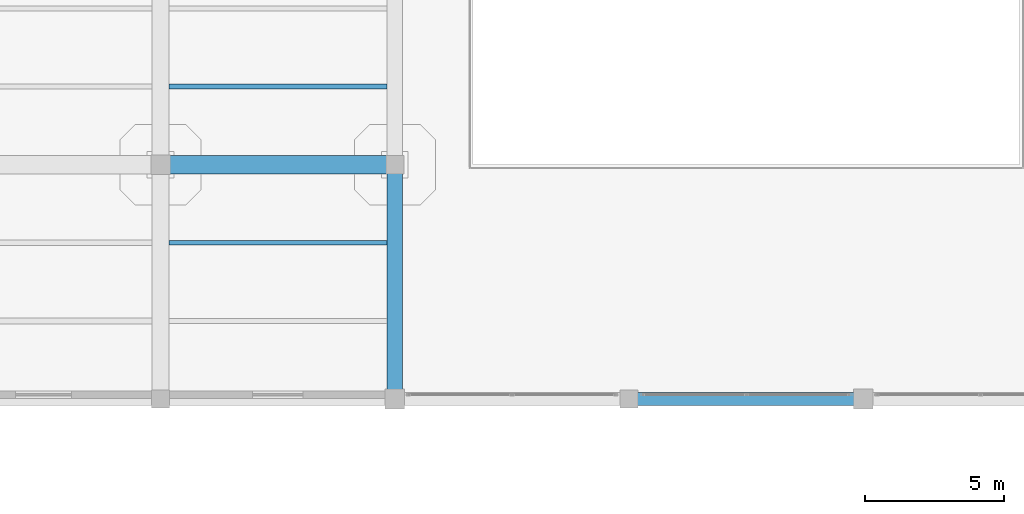
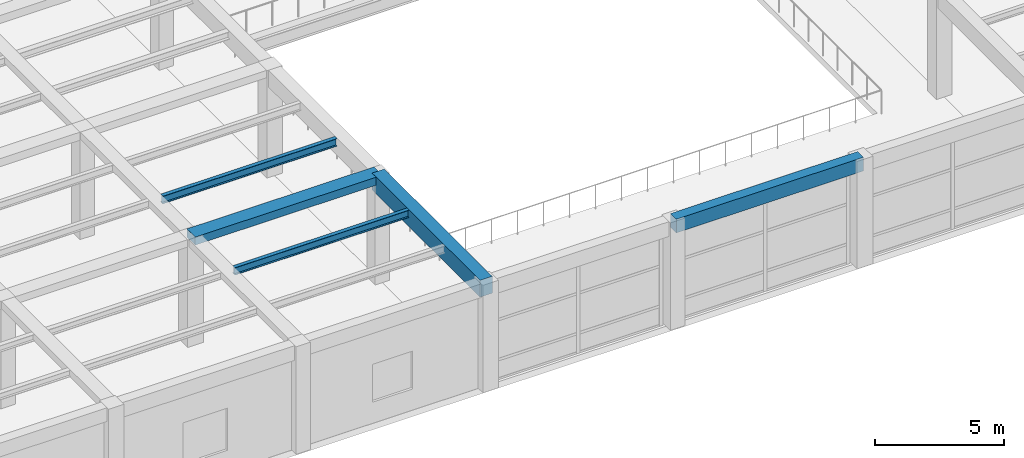
# One storey, part 24 of 96: 5 beams.
"""IFC4 building model written with IfcOpenShell, lengths in metres."""

from ifc_helpers import new_model, si_unit, direction, frame, origin, origin_2d, place, context, subcontext, project, spatial, rectangle, i_section, extrude, material, material_profile, profile_set, type_object, element, save


model = new_model("IFC4")

# Units and contexts
model_context = context("Model", 3, precision=1e-05, world=origin(), true_north=direction((0.0, 1.0)))
body_context = subcontext(model_context, "Body", "Model", "MODEL_VIEW")
ifc_project = project(units=[si_unit("LENGTHUNIT", "METRE"), si_unit("AREAUNIT", "SQUARE_METRE"), si_unit("VOLUMEUNIT", "CUBIC_METRE"), si_unit("PLANEANGLEUNIT", "RADIAN"), si_unit("MASSUNIT", "GRAM", prefix="KILO")], contexts=[model_context])

# Site, building, storey
site_placement = place(None, origin())
site = spatial("IfcSite", under=ifc_project, at=site_placement, CompositionType="ELEMENT")
building_placement = place(site_placement, origin())
building = spatial("IfcBuilding", under=site, at=building_placement, Name="Almacenes y Pasaje Nevantli", CompositionType="ELEMENT")
storey_placement = place(building_placement, frame((0.0, 0.0, 6.0)))
storey = spatial("IfcBuildingStorey", under=building, at=storey_placement, Name="L02", CompositionType="ELEMENT", Elevation=6.0)

# Beams
ifc_material_1 = material(Name="Concrete C35/45", Category="concrete")
ifc_material_profile_1 = material_profile(ifc_material_1, rectangle(XDim=0.449951171875, YDim=0.64990234375, at=origin_2d()), Name="RC-BM-450x650")
ifc_profile_set_1 = profile_set([ifc_material_profile_1], Name="Concrete C35/45")
beam_type_1 = type_object("IfcBeamType", Name="BM-RC-450x650", PredefinedType="SPANDREL", material=ifc_profile_set_1)
beam_1_placement = place(storey_placement, frame((75.60009765625, 0.0, 4.77490234375), z_axis=(1.0, 0.0, 0.0), x_axis=(0.0, 1.0, 0.0)))
element("IfcBeam", 1, at=beam_1_placement, inside=storey, type_object=beam_type_1, Name="L02 East-West Reinforced Concrete Beam #1729", PredefinedType="SPANDREL", context=body_context, shape_type="SweptSolid", body=[
    extrude(rectangle(XDim=0.449951171875, YDim=0.64990234375, at=origin_2d()), origin(), (0.0, 0.0, 1.0), 8.39990234375),
])
ifc_material_2 = material(Name="Concrete C35/45", Category="concrete")
ifc_material_profile_2 = material_profile(ifc_material_2, rectangle(XDim=0.550048828125, YDim=0.800048828125, at=origin_2d()), Name="RC-BM-550x800")
ifc_profile_set_2 = profile_set([ifc_material_profile_2], Name="Concrete C35/45")
beam_type_2 = type_object("IfcBeamType", Name="BM-RC-550x800", PredefinedType="BEAM", material=ifc_profile_set_2)
beam_2_placement = place(storey_placement, frame((67.199951171875, 0.0, 4.699951171875), z_axis=(0.0, 1.0, 0.0), x_axis=(-1.0, 0.0, 0.0)))
element("IfcBeam", 2, at=beam_2_placement, inside=storey, type_object=beam_type_2, Name="L02 North-South Reinforced Concrete Beam #2055", PredefinedType="BEAM", context=body_context, shape_type="SweptSolid", body=[
    extrude(rectangle(XDim=0.550048828125, YDim=0.800048828125, at=origin_2d()), origin(), (0.0, 0.0, 1.0), 8.39990234375),
])
ifc_material_3 = material(Name="Concrete C35/45", Category="concrete")
ifc_material_profile_3 = material_profile(ifc_material_3, rectangle(XDim=0.64990234375, YDim=0.3798828125, at=origin_2d()), Name="RC-BM-650x380")
ifc_profile_set_3 = profile_set([ifc_material_profile_3], Name="Concrete C35/45")
beam_type_3 = type_object("IfcBeamType", Name="BM-RC-650x380", PredefinedType="BEAM", material=ifc_profile_set_3)
beam_3_placement = place(storey_placement, frame((58.800048828125, 8.39990234375, 4.909912109375), z_axis=(1.0, 0.0, 0.0), x_axis=(0.0, 1.0, 0.0)))
element("IfcBeam", 3, at=beam_3_placement, inside=storey, type_object=beam_type_3, Name="L02 East-West Reinforced Concrete Beam #1744", PredefinedType="BEAM", context=body_context, shape_type="SweptSolid", body=[
    extrude(rectangle(XDim=0.64990234375, YDim=0.3798828125, at=origin_2d()), origin(), (0.0, 0.0, 1.0), 8.39990234375),
])
ifc_material_4 = material(Name="Steel ASTM A992", Category="steel")
ifc_material_profile_4 = material_profile(ifc_material_4, i_section(OverallWidth=0.173095703125, OverallDepth=0.35302734375, WebThickness=0.0078125, FlangeThickness=0.01318359375, at=origin_2d()), Name="IR 356x56.6")
ifc_profile_set_4 = profile_set([ifc_material_profile_4], Name="Steel ASTM A992")
beam_type_4 = type_object("IfcBeamType", Name="BM-STL-IR-356x56p6", PredefinedType="JOIST", material=ifc_profile_set_4)
beam_4_placement = place(storey_placement, frame((59.10009765625, 5.60009765625, 4.91552734375), z_axis=(1.0, 0.0, 0.0), x_axis=(0.0, 1.0, 0.0)))
element("IfcBeam", 4, at=beam_4_placement, inside=storey, type_object=beam_type_4, Name="L02 Secondary Steel Floor Joist #432", PredefinedType="JOIST", context=body_context, shape_type="SweptSolid", body=[
    extrude(i_section(OverallWidth=0.173095703125, OverallDepth=0.35302734375, WebThickness=0.0078125, FlangeThickness=0.01318359375, at=origin_2d()), origin(), (0.0, 0.0, 1.0), 7.824951171875),
])
ifc_material_5 = material(Name="Steel ASTM A992", Category="steel")
ifc_material_profile_5 = material_profile(ifc_material_5, i_section(OverallWidth=0.173095703125, OverallDepth=0.364013671875, WebThickness=0.009033203125, FlangeThickness=0.015625, at=origin_2d()), Name="IR 356x67.0")
ifc_profile_set_5 = profile_set([ifc_material_profile_5], Name="Steel ASTM A992")
beam_type_5 = type_object("IfcBeamType", Name="BM-STL-IR-356x67p0", PredefinedType="JOIST", material=ifc_profile_set_5)
beam_5_placement = place(storey_placement, frame((59.10009765625, 11.199951171875, 4.909912109375), z_axis=(1.0, 0.0, 0.0), x_axis=(0.0, 1.0, 0.0)))
element("IfcBeam", 5, at=beam_5_placement, inside=storey, type_object=beam_type_5, Name="L02 Secondary Steel Floor Joist #433", PredefinedType="JOIST", context=body_context, shape_type="SweptSolid", body=[
    extrude(i_section(OverallWidth=0.173095703125, OverallDepth=0.364013671875, WebThickness=0.009033203125, FlangeThickness=0.015625, at=origin_2d()), origin(), (0.0, 0.0, 1.0), 7.824951171875),
])

save(model, "model.ifc")
